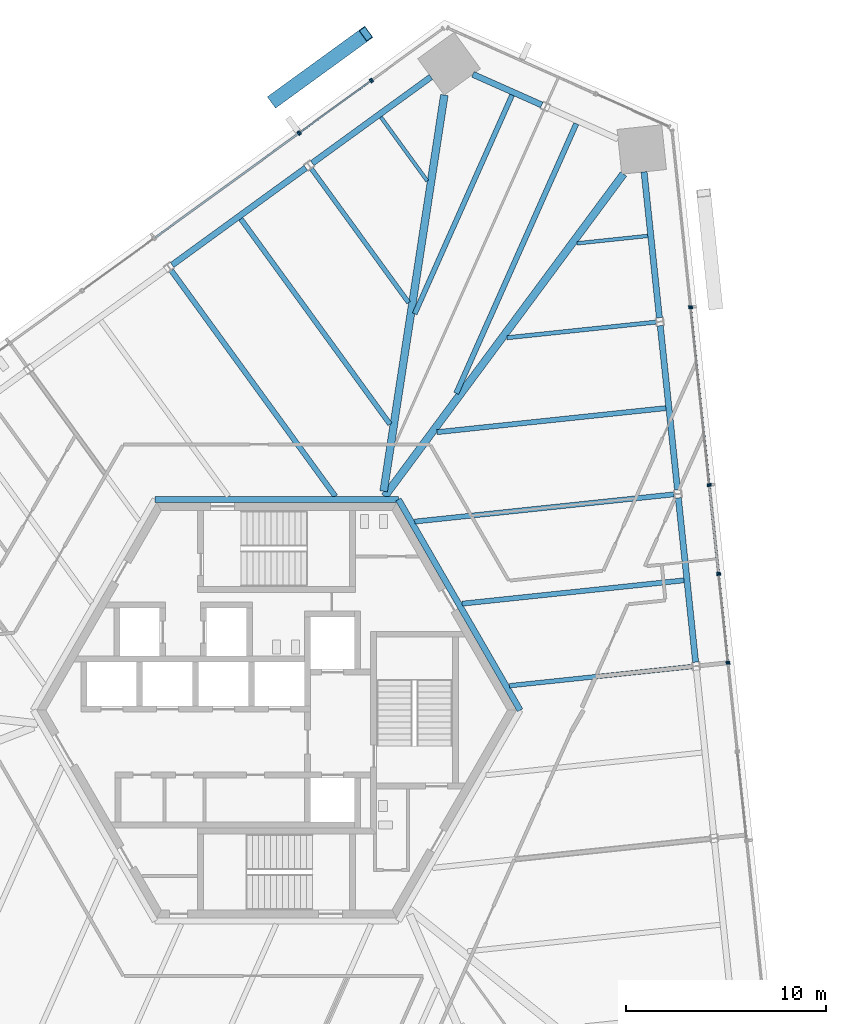
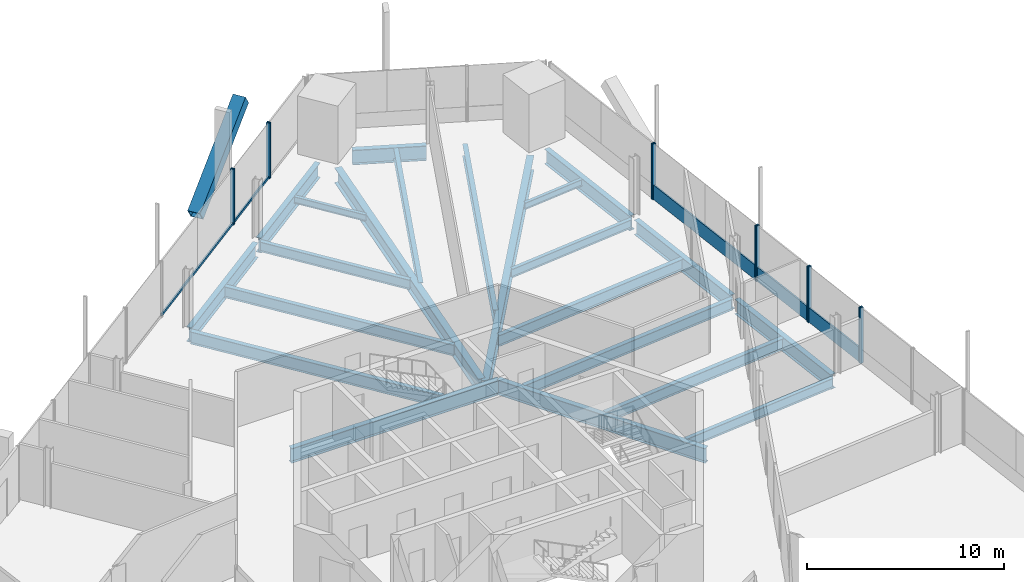
# One storey, part 7 of 21: 22 beams, 18 members, 8 elements without a shape of their own.
"""IFC4 building model written with IfcOpenShell, lengths in metres."""

from ifc_helpers import new_model, si_unit, direction, frame, origin, origin_2d, place, context, subcontext, project, spatial, rectangle, hollow_rectangle, i_section, extrude, source, transform, mapped, material, material_profile, profile_set, type_object, element, aggregate, save


model = new_model("IFC4")

# Units and contexts
model_context = context("Model", 3, precision=1e-05, world=origin(), true_north=direction((0.0, 1.0)))
body_context = subcontext(model_context, "Body", "Model", "MODEL_VIEW")
ifc_project = project(units=[si_unit("LENGTHUNIT", "METRE"), si_unit("AREAUNIT", "SQUARE_METRE"), si_unit("VOLUMEUNIT", "CUBIC_METRE"), si_unit("PLANEANGLEUNIT", "RADIAN"), si_unit("MASSUNIT", "GRAM", prefix="KILO")], contexts=[model_context])

# Site, building, storey
site_placement = place(None, origin())
site = spatial("IfcSite", under=ifc_project, at=site_placement, CompositionType="ELEMENT")
building_placement = place(site_placement, origin())
building = spatial("IfcBuilding", under=site, at=building_placement, Name="Triune Harvest Tower", CompositionType="ELEMENT")
storey_placement = place(building_placement, frame((0.0, 0.0, 87.300048828125)))
storey = spatial("IfcBuildingStorey", under=building, at=storey_placement, Name="L21", CompositionType="ELEMENT", Elevation=87.300048828125)

# Curtain wall, member
ifc_material_1 = material(Name="Aluminium bronze anodised", Category="aluminium")
curtain_wall_type_1 = type_object("IfcCurtainWallType", Name="CW-1 Tower stick curtain wall", PredefinedType="NOTDEFINED", material=ifc_material_1)
curtain_wall_1_placement = place(storey_placement, origin())
curtain_wall_1 = element("IfcCurtainWall", 1, at=curtain_wall_1_placement, inside=storey, type_object=curtain_wall_type_1, Name="CW-1 B2-F1 L21 run 5001")
ifc_material_2 = material(Name="Aluminium bronze anodised", Category="aluminium")
ifc_material_profile_1 = material_profile(ifc_material_2, rectangle(XDim=0.090087890625, YDim=0.89990234375, at=origin_2d()), Name="TR-1 transom 90 x 900")
ifc_profile_set_1 = profile_set([ifc_material_profile_1], Name="Aluminium bronze anodised")
member_type_1 = type_object("IfcMemberType", Name="TR-1 transom 90 x 900", PredefinedType="USERDEFINED", material=ifc_profile_set_1)
member_1_placement = place(storey_placement, frame((22.565673828125, 2.447265625, 0.449951171875), z_axis=(-0.104543585758, 0.994520305814, 0.0), x_axis=(-0.994520305814, -0.104543585758, 0.0)))
member_1 = element("IfcMember", 2, at=member_1_placement, type_object=member_type_1, Name="CW-1 transom B2-F1 5001.1", ObjectType="TRANSOM", PredefinedType="USERDEFINED", context=body_context, shape_type="SweptSolid", body=[
    extrude(rectangle(XDim=0.090087890625, YDim=0.89990234375, at=origin_2d()), origin(), (0.0, 0.0, 1.0), 4.3203125),
])

# Beams
ifc_material_3 = material(Name="Steel ASTM A992 Gr 50", Category="steel")
ifc_material_profile_2 = material_profile(ifc_material_3, i_section(OverallWidth=0.3046875, OverallDepth=0.914306640625, WebThickness=0.0166015625, FlangeThickness=0.02587890625, at=origin_2d()), Name="W36x160")
ifc_profile_set_2 = profile_set([ifc_material_profile_2], Name="Steel ASTM A992 Gr 50")
beam_type_1 = type_object("IfcBeamType", Name="CG-1 Core ring girder W36x160", PredefinedType="BEAM", material=ifc_profile_set_2)
shared_shape_1 = source(origin(), body_context, "Body", "SweptSolid", [
    extrude(i_section(OverallWidth=0.3046875, OverallDepth=0.914306640625, WebThickness=0.0166015625, FlangeThickness=0.02587890625, at=origin_2d()), origin(), (0.0, 0.0, 1.0), 12.176025390625),
])
beam_1_placement = place(storey_placement, frame((12.176025390625, 0.0, -0.6171875), z_axis=(-0.5000099932, 0.866019634131, 0.0), x_axis=(-0.866019634131, -0.5000099932, 0.0)))
element("IfcBeam", 3, at=beam_1_placement, inside=storey, type_object=beam_type_1, Name="beam/L21/CG1", PredefinedType="BEAM", context=body_context, shape_type="MappedRepresentation", body=[
    mapped(shared_shape_1, transform((0.0, 0.0, 0.0), scale=1.0)),
])
shared_shape_2 = source(origin(), body_context, "Body", "SweptSolid", [
    extrude(i_section(OverallWidth=0.3046875, OverallDepth=0.914306640625, WebThickness=0.0166015625, FlangeThickness=0.02587890625, at=origin_2d()), origin(), (0.0, 0.0, 1.0), 12.17578125),
])
beam_2_placement = place(storey_placement, frame((6.087890625, 10.544677734375, -0.6171875), z_axis=(-1.0, 0.0, 0.0), x_axis=(0.0, -1.0, 0.0)))
element("IfcBeam", 4, at=beam_2_placement, inside=storey, type_object=beam_type_1, Name="beam/L21/CG2", PredefinedType="BEAM", context=body_context, shape_type="MappedRepresentation", body=[
    mapped(shared_shape_2, transform((0.0, 0.0, 0.0), scale=1.0)),
])
ifc_material_4 = material(Name="Steel ASTM A992 Gr 50", Category="steel")
ifc_material_profile_3 = material_profile(ifc_material_4, i_section(OverallWidth=0.3046875, OverallDepth=0.914306640625, WebThickness=0.0166015625, FlangeThickness=0.02587890625, at=origin_2d()), Name="W36x160")
ifc_profile_set_3 = profile_set([ifc_material_profile_3], Name="Steel ASTM A992 Gr 50")
beam_type_2 = type_object("IfcBeamType", Name="SB-1 Spandrel beam W36x160", PredefinedType="SPANDREL", material=ifc_profile_set_3)
shared_shape_3 = source(origin(), body_context, "Body", "SweptSolid", [
    extrude(i_section(OverallWidth=0.3046875, OverallDepth=0.914306640625, WebThickness=0.0166015625, FlangeThickness=0.02587890625, at=origin_2d()), origin(), (0.0, 0.0, 1.0), 7.337890625),
])
beam_3_placement = place(storey_placement, frame((7.7158203125, 31.677490234375, -0.6171875), z_axis=(-0.80902661548, -0.58777200975, 0.0), x_axis=(0.58777200975, -0.80902661548, 0.0)))
element("IfcBeam", 5, at=beam_3_placement, inside=storey, type_object=beam_type_2, Name="beam/L21/SB9", PredefinedType="SPANDREL", context=body_context, shape_type="MappedRepresentation", body=[
    mapped(shared_shape_3, transform((0.0, 0.0, 0.0), scale=1.0)),
])
shared_shape_4 = source(origin(), body_context, "Body", "SweptSolid", [
    extrude(i_section(OverallWidth=0.3046875, OverallDepth=0.914306640625, WebThickness=0.0166015625, FlangeThickness=0.02587890625, at=origin_2d()), origin(), (0.0, 0.0, 1.0), 8.263427734375),
])
for number, where, z_axis, x_axis, name in (
    (6, (20.956298828125, 2.403076171875, -0.6171875), (-0.104560208485, 0.994518558299, 0.0), (-0.994518558299, -0.104560208485, 0.0), "beam/L21/SB4"),
    (7, (20.05078125, 11.017822265625, -0.6171875), (-0.104527914852, 0.994521953009, 0.0), (-0.994521953009, -0.104527914852, 0.0), "beam/L21/SB5"),
    (8, (1.45654296875, 27.130126953125, -0.6171875), (-0.809015786763, -0.587786914424, 0.0), (0.587786914424, -0.809015786763, 0.0), "beam/L21/SB10"),
):
    element("IfcBeam", number, at=place(storey_placement, frame(where, z_axis=z_axis, x_axis=x_axis)), inside=storey, type_object=beam_type_2, Name=name, PredefinedType="SPANDREL", context=body_context, shape_type="MappedRepresentation", body=[
        mapped(shared_shape_4, transform((0.0, 0.0, 0.0), scale=1.0)),
    ])
shared_shape_5 = source(origin(), body_context, "Body", "SweptSolid", [
    extrude(i_section(OverallWidth=0.3046875, OverallDepth=0.914306640625, WebThickness=0.0166015625, FlangeThickness=0.02587890625, at=origin_2d()), origin(), (0.0, 0.0, 1.0), 7.338134765625),
])
beam_4_placement = place(storey_placement, frame((19.145263671875, 19.632568359375, -0.6171875), z_axis=(-0.104502933908, 0.994524578281, 0.0), x_axis=(-0.994524578281, -0.104502933908, 0.0)))
element("IfcBeam", 9, at=beam_4_placement, inside=storey, type_object=beam_type_2, Name="beam/L21/SB6", PredefinedType="SPANDREL", context=body_context, shape_type="MappedRepresentation", body=[
    mapped(shared_shape_5, transform((0.0, 0.0, 0.0), scale=1.0)),
])
shared_shape_6 = source(origin(), body_context, "Body", "SweptSolid", [
    extrude(i_section(OverallWidth=0.3046875, OverallDepth=0.914306640625, WebThickness=0.0166015625, FlangeThickness=0.02587890625, at=origin_2d()), origin(), (0.0, 0.0, 1.0), 3.774658203125),
])
beam_5_placement = place(storey_placement, frame((13.260986328125, 30.275146484375, -0.6171875), z_axis=(-0.913566008399, 0.406690482182, 0.0), x_axis=(-0.406690482182, -0.913566008399, 0.0)))
element("IfcBeam", 10, at=beam_5_placement, inside=storey, type_object=beam_type_2, Name="beam/L21/SB8", PredefinedType="SPANDREL", context=body_context, shape_type="MappedRepresentation", body=[
    mapped(shared_shape_6, transform((0.0, 0.0, 0.0), scale=1.0)),
])
ifc_material_5 = material(Name="Steel ASTM A992 Gr 50", Category="steel")
ifc_material_profile_4 = material_profile(ifc_material_5, i_section(OverallWidth=0.383544921875, OverallDepth=0.9423828125, WebThickness=0.022216796875, FlangeThickness=0.039794921875, at=origin_2d()), Name="W36x232")
ifc_profile_set_4 = profile_set([ifc_material_profile_4], Name="Steel ASTM A992 Gr 50")
beam_type_3 = type_object("IfcBeamType", Name="HG-1 Hip girder W36x232", PredefinedType="BEAM", material=ifc_profile_set_4)
shared_shape_7 = source(origin(), body_context, "Body", "SweptSolid", [
    extrude(i_section(OverallWidth=0.383544921875, OverallDepth=0.9423828125, WebThickness=0.022216796875, FlangeThickness=0.039794921875, at=origin_2d()), origin(), (0.0, 0.0, 1.0), 20.071044921875),
])
beam_6_placement = place(storey_placement, frame((17.3515625, 26.822265625, -0.63134765625), z_axis=(-0.595422435489, -0.803412797581, 0.0), x_axis=(0.803412797581, -0.595422435489, 0.0)))
element("IfcBeam", 11, at=beam_6_placement, inside=storey, type_object=beam_type_3, Name="beam/L21/HG3", PredefinedType="BEAM", context=body_context, shape_type="MappedRepresentation", body=[
    mapped(shared_shape_7, transform((0.0, 0.0, 0.0), scale=1.0)),
])
shared_shape_8 = source(origin(), body_context, "Body", "SweptSolid", [
    extrude(i_section(OverallWidth=0.383544921875, OverallDepth=0.9423828125, WebThickness=0.022216796875, FlangeThickness=0.039794921875, at=origin_2d()), origin(), (0.0, 0.0, 1.0), 20.0546875),
])
beam_7_placement = place(storey_placement, frame((8.38623046875, 30.774169921875, -0.63134765625), z_axis=(-0.151393010927, -0.988473649746, 0.0), x_axis=(0.988473649746, -0.151393010927, 0.0)))
element("IfcBeam", 12, at=beam_7_placement, inside=storey, type_object=beam_type_3, Name="beam/L21/HG4", PredefinedType="BEAM", context=body_context, shape_type="MappedRepresentation", body=[
    mapped(shared_shape_8, transform((0.0, 0.0, 0.0), scale=1.0)),
])
ifc_material_6 = material(Name="Steel ASTM A992 Gr 50", Category="steel")
ifc_material_profile_5 = material_profile(ifc_material_6, i_section(OverallWidth=0.180908203125, OverallDepth=0.41650390625, WebThickness=0.010986328125, FlangeThickness=0.01806640625, at=origin_2d()), Name="W16x57")
ifc_profile_set_5 = profile_set([ifc_material_profile_5], Name="Steel ASTM A992 Gr 50")
beam_type_4 = type_object("IfcBeamType", Name="JT-1 Floor joist W16x57", PredefinedType="JOIST", material=ifc_profile_set_5)
shared_shape_9 = source(origin(), body_context, "Body", "SweptSolid", [
    extrude(i_section(OverallWidth=0.180908203125, OverallDepth=0.41650390625, WebThickness=0.010986328125, FlangeThickness=0.01806640625, at=origin_2d()), origin(), (0.0, 0.0, 1.0), 3.95068359375),
])
beam_8_placement = place(storey_placement, frame((5.21142578125, 29.669677734375, -0.368408203125), z_axis=(0.587818894271, -0.808992550978, 0.0), x_axis=(0.808992550978, 0.587818894271, 0.0)))
element("IfcBeam", 13, at=beam_8_placement, inside=storey, type_object=beam_type_4, Name="beam/L21/JT14", PredefinedType="JOIST", context=body_context, shape_type="MappedRepresentation", body=[
    mapped(shared_shape_9, transform((0.0, 0.0, 0.0), scale=1.0)),
])
ifc_material_7 = material(Name="Steel ASTM A992 Gr 50", Category="steel")
ifc_material_profile_6 = material_profile(ifc_material_7, i_section(OverallWidth=0.22900390625, OverallDepth=0.612060546875, WebThickness=0.011962890625, FlangeThickness=0.01953125, at=origin_2d()), Name="W24x84")
ifc_profile_set_6 = profile_set([ifc_material_profile_6], Name="Steel ASTM A992 Gr 50")
beam_type_5 = type_object("IfcBeamType", Name="JT-3 Floor joist W24x84", PredefinedType="JOIST", material=ifc_profile_set_6)
shared_shape_10 = source(origin(), body_context, "Body", "SweptSolid", [
    extrude(i_section(OverallWidth=0.22900390625, OverallDepth=0.612060546875, WebThickness=0.011962890625, FlangeThickness=0.01953125, at=origin_2d()), origin(), (0.0, 0.0, 1.0), 8.28173828125),
])
beam_9_placement = place(storey_placement, frame((1.733642578125, 27.087890625, -0.466064453125), z_axis=(0.587794772324, -0.809010077581, 0.0), x_axis=(0.809010077581, 0.587794772324, 0.0)))
element("IfcBeam", 14, at=beam_9_placement, inside=storey, type_object=beam_type_5, Name="beam/L21/JT15", PredefinedType="JOIST", context=body_context, shape_type="MappedRepresentation", body=[
    mapped(shared_shape_10, transform((0.0, 0.0, 0.0), scale=1.0)),
])
shared_shape_11 = source(origin(), body_context, "Body", "SweptSolid", [
    extrude(i_section(OverallWidth=0.22900390625, OverallDepth=0.612060546875, WebThickness=0.011962890625, FlangeThickness=0.01953125, at=origin_2d()), origin(), (0.0, 0.0, 1.0), 9.186279296875),
])
beam_10_placement = place(storey_placement, frame((20.78125, 2.18408203125, -0.466064453125), z_axis=(-0.99452494946, -0.10449940144, 0.0), x_axis=(0.10449940144, -0.99452494946, 0.0)))
element("IfcBeam", 15, at=beam_10_placement, inside=storey, type_object=beam_type_5, Name="beam/L21/JT6", PredefinedType="JOIST", context=body_context, shape_type="MappedRepresentation", body=[
    mapped(shared_shape_11, transform((0.0, 0.0, 0.0), scale=1.0)),
])
ifc_material_8 = material(Name="Steel ASTM A992 Gr 50", Category="steel")
ifc_material_profile_7 = material_profile(ifc_material_8, i_section(OverallWidth=0.253662109375, OverallDepth=0.683349609375, WebThickness=0.012451171875, FlangeThickness=0.01904296875, at=origin_2d()), Name="W27x94")
ifc_profile_set_7 = profile_set([ifc_material_profile_7], Name="Steel ASTM A992 Gr 50")
beam_type_6 = type_object("IfcBeamType", Name="JT-4 Floor joist W27x94", PredefinedType="JOIST", material=ifc_profile_set_7)
shared_shape_12 = source(origin(), body_context, "Body", "SweptSolid", [
    extrude(i_section(OverallWidth=0.253662109375, OverallDepth=0.683349609375, WebThickness=0.012451171875, FlangeThickness=0.01904296875, at=origin_2d()), origin(), (0.0, 0.0, 1.0), 11.158935546875),
])
beam_11_placement = place(storey_placement, frame((20.372802734375, 6.49609375, -0.501708984375), z_axis=(-0.994523540129, -0.104512813234, 0.0), x_axis=(0.104512813234, -0.994523540129, 0.0)))
element("IfcBeam", 16, at=beam_11_placement, inside=storey, type_object=beam_type_6, Name="beam/L21/JT7", PredefinedType="JOIST", context=body_context, shape_type="MappedRepresentation", body=[
    mapped(shared_shape_12, transform((0.0, 0.0, 0.0), scale=1.0)),
])
shared_shape_13 = source(origin(), body_context, "Body", "SweptSolid", [
    extrude(i_section(OverallWidth=0.253662109375, OverallDepth=0.683349609375, WebThickness=0.012451171875, FlangeThickness=0.01904296875, at=origin_2d()), origin(), (0.0, 0.0, 1.0), 13.04296875),
])
beam_12_placement = place(storey_placement, frame((19.875732421875, 10.799072265625, -0.501708984375), z_axis=(-0.99452051979, -0.104541550188, 0.0), x_axis=(0.104541550188, -0.99452051979, 0.0)))
element("IfcBeam", 17, at=beam_12_placement, inside=storey, type_object=beam_type_6, Name="beam/L21/JT8", PredefinedType="JOIST", context=body_context, shape_type="MappedRepresentation", body=[
    mapped(shared_shape_13, transform((0.0, 0.0, 0.0), scale=1.0)),
])
shared_shape_14 = source(origin(), body_context, "Body", "SweptSolid", [
    extrude(i_section(OverallWidth=0.253662109375, OverallDepth=0.683349609375, WebThickness=0.012451171875, FlangeThickness=0.01904296875, at=origin_2d()), origin(), (0.0, 0.0, 1.0), 11.51123046875),
])
beam_13_placement = place(storey_placement, frame((19.46728515625, 15.111083984375, -0.501708984375), z_axis=(-0.994520898324, -0.104537949071, 0.0), x_axis=(0.104537949071, -0.994520898324, 0.0)))
element("IfcBeam", 18, at=beam_13_placement, inside=storey, type_object=beam_type_6, Name="beam/L21/JT9", PredefinedType="JOIST", context=body_context, shape_type="MappedRepresentation", body=[
    mapped(shared_shape_14, transform((0.0, 0.0, 0.0), scale=1.0)),
])
ifc_material_9 = material(Name="Steel ASTM A992 Gr 50", Category="steel")
ifc_material_profile_8 = material_profile(ifc_material_9, i_section(OverallWidth=0.2099609375, OverallDepth=0.535888671875, WebThickness=0.010986328125, FlangeThickness=0.017333984375, at=origin_2d()), Name="W21x68")
ifc_profile_set_8 = profile_set([ifc_material_profile_8], Name="Steel ASTM A992 Gr 50")
beam_type_7 = type_object("IfcBeamType", Name="JT-2 Floor joist W21x68", PredefinedType="JOIST", material=ifc_profile_set_8)
shared_shape_15 = source(origin(), body_context, "Body", "SweptSolid", [
    extrude(i_section(OverallWidth=0.2099609375, OverallDepth=0.535888671875, WebThickness=0.010986328125, FlangeThickness=0.017333984375, at=origin_2d()), origin(), (0.0, 0.0, 1.0), 7.491943359375),
])
beam_14_placement = place(storey_placement, frame((18.97021484375, 19.413818359375, -0.427978515625), z_axis=(-0.994520798259, -0.104538901039, 0.0), x_axis=(0.104538901039, -0.994520798259, 0.0)))
element("IfcBeam", 19, at=beam_14_placement, inside=storey, type_object=beam_type_7, Name="beam/L21/JT10", PredefinedType="JOIST", context=body_context, shape_type="MappedRepresentation", body=[
    mapped(shared_shape_15, transform((0.0, 0.0, 0.0), scale=1.0)),
])
shared_shape_16 = source(origin(), body_context, "Body", "SweptSolid", [
    extrude(i_section(OverallWidth=0.180908203125, OverallDepth=0.41650390625, WebThickness=0.010986328125, FlangeThickness=0.01806640625, at=origin_2d()), origin(), (0.0, 0.0, 1.0), 3.562255859375),
])
beam_15_placement = place(storey_placement, frame((18.56201171875, 23.725830078125, -0.368408203125), z_axis=(-0.994523089103, -0.104517105016, 0.0), x_axis=(0.104517105016, -0.994523089103, 0.0)))
element("IfcBeam", 20, at=beam_15_placement, inside=storey, type_object=beam_type_4, Name="beam/L21/JT11", PredefinedType="JOIST", context=body_context, shape_type="MappedRepresentation", body=[
    mapped(shared_shape_16, transform((0.0, 0.0, 0.0), scale=1.0)),
])
ifc_material_10 = material(Name="Steel ASTM A992 Gr 50", Category="steel")
ifc_material_profile_9 = material_profile(ifc_material_10, i_section(OverallWidth=0.2666015625, OverallDepth=0.7568359375, WebThickness=0.013916015625, FlangeThickness=0.019287109375, at=origin_2d()), Name="W30x108")
ifc_profile_set_9 = profile_set([ifc_material_profile_9], Name="Steel ASTM A992 Gr 50")
beam_type_8 = type_object("IfcBeamType", Name="JT-5 Floor joist W30x108", PredefinedType="JOIST", material=ifc_profile_set_9)
shared_shape_17 = source(origin(), body_context, "Body", "SweptSolid", [
    extrude(i_section(OverallWidth=0.2666015625, OverallDepth=0.7568359375, WebThickness=0.013916015625, FlangeThickness=0.019287109375, at=origin_2d()), origin(), (0.0, 0.0, 1.0), 14.766357421875),
])
beam_16_placement = place(storey_placement, frame((14.987060546875, 29.33984375, -0.53857421875), z_axis=(-0.406727456384, -0.913549547766, 0.0), x_axis=(0.913549547766, -0.406727456384, 0.0)))
element("IfcBeam", 21, at=beam_16_placement, inside=storey, type_object=beam_type_8, Name="beam/L21/JT12", PredefinedType="JOIST", context=body_context, shape_type="MappedRepresentation", body=[
    mapped(shared_shape_17, transform((0.0, 0.0, 0.0), scale=1.0)),
])
shared_shape_18 = source(origin(), body_context, "Body", "SweptSolid", [
    extrude(i_section(OverallWidth=0.253662109375, OverallDepth=0.683349609375, WebThickness=0.012451171875, FlangeThickness=0.01904296875, at=origin_2d()), origin(), (0.0, 0.0, 1.0), 11.977783203125),
])
beam_17_placement = place(storey_placement, frame((11.775390625, 30.769775390625, -0.501708984375), z_axis=(-0.406717086171, -0.913554164687, 0.0), x_axis=(0.913554164687, -0.406717086171, 0.0)))
element("IfcBeam", 22, at=beam_17_placement, inside=storey, type_object=beam_type_6, Name="beam/L21/JT13", PredefinedType="JOIST", context=body_context, shape_type="MappedRepresentation", body=[
    mapped(shared_shape_18, transform((0.0, 0.0, 0.0), scale=1.0)),
])
shared_shape_19 = source(origin(), body_context, "Body", "SweptSolid", [
    extrude(i_section(OverallWidth=0.253662109375, OverallDepth=0.683349609375, WebThickness=0.012451171875, FlangeThickness=0.01904296875, at=origin_2d()), origin(), (0.0, 0.0, 1.0), 12.701904296875),
])
beam_18_placement = place(storey_placement, frame((-1.79638671875, 24.578369140625, -0.501708984375), z_axis=(0.587773910587, -0.809025234485, 0.0), x_axis=(0.809025234485, 0.587773910587, 0.0)))
element("IfcBeam", 23, at=beam_18_placement, inside=storey, type_object=beam_type_6, Name="beam/L21/JT16", PredefinedType="JOIST", context=body_context, shape_type="MappedRepresentation", body=[
    mapped(shared_shape_19, transform((0.0, 0.0, 0.0), scale=1.0)),
])
shared_shape_20 = source(origin(), body_context, "Body", "SweptSolid", [
    extrude(i_section(OverallWidth=0.2666015625, OverallDepth=0.7568359375, WebThickness=0.013916015625, FlangeThickness=0.019287109375, at=origin_2d()), origin(), (0.0, 0.0, 1.0), 13.967041015625),
])
beam_19_placement = place(storey_placement, frame((-5.2744140625, 21.99658203125, -0.53857421875), z_axis=(0.587790196646, -0.809013402069, 0.0), x_axis=(0.809013402069, 0.587790196646, 0.0)))
element("IfcBeam", 24, at=beam_19_placement, inside=storey, type_object=beam_type_8, Name="beam/L21/JT17", PredefinedType="JOIST", context=body_context, shape_type="MappedRepresentation", body=[
    mapped(shared_shape_20, transform((0.0, 0.0, 0.0), scale=1.0)),
])

# Member
ifc_material_11 = material(Name="Steel ASTM A572 Gr 50", Category="steel")
ifc_material_profile_10 = material_profile(ifc_material_11, hollow_rectangle(XDim=0.699951171875, YDim=0.699951171875, WallThickness=0.0400390625, at=origin_2d()), Name="Box 700x700x40")
ifc_profile_set_10 = profile_set([ifc_material_profile_10], Name="Steel ASTM A572 Gr 50")
member_type_2 = type_object("IfcMemberType", Name="BR-1 Brace Box 700x700x40", PredefinedType="BRACE", material=ifc_profile_set_10)
shared_shape_21 = source(origin(), body_context, "Body", "SweptSolid", [
    extrude(hollow_rectangle(XDim=0.699951171875, YDim=0.699951171875, WallThickness=0.0400390625, at=origin_2d()), origin(), (0.0, 0.0, 1.0), 6.7021484375),
])
member_2_placement = place(storey_placement, frame((-0.111572265625, 30.5087890625, 0.0), z_axis=(0.682416282299, 0.495802712628, 0.537110498692), x_axis=(-0.587783903514, 0.809017974318, 0.0)))
element("IfcMember", 25, at=member_2_placement, inside=storey, type_object=member_type_2, Name="brace/B2-F3/d2/9", PredefinedType="BRACE", context=body_context, shape_type="MappedRepresentation", body=[
    mapped(shared_shape_21, transform((0.0, 0.0, 0.0), scale=1.0)),
])

# Curtain wall, member
ifc_material_12 = material(Name="Aluminium bronze anodised", Category="aluminium")
curtain_wall_type_2 = type_object("IfcCurtainWallType", Name="CW-7 Tower stick curtain wall with insulated spandrel infill", PredefinedType="NOTDEFINED", material=ifc_material_12)
curtain_wall_2_placement = place(storey_placement, origin())
curtain_wall_2 = element("IfcCurtainWall", 26, at=curtain_wall_2_placement, inside=storey, type_object=curtain_wall_type_2, Name="CW-7 B2-F1 L21 run 4001")
ifc_material_13 = material(Name="Aluminium bronze anodised", Category="aluminium")
ifc_material_profile_11 = material_profile(ifc_material_13, rectangle(XDim=0.199951171875, YDim=0.074951171875, at=origin_2d()), Name="MU-1 mullion 75 x 200")
ifc_profile_set_11 = profile_set([ifc_material_profile_11], Name="Aluminium bronze anodised")
member_type_3 = type_object("IfcMemberType", Name="MU-1 mullion 75 x 200", PredefinedType="MULLION", material=ifc_profile_set_11)
shared_shape_22 = source(origin(), body_context, "Body", "SweptSolid", [
    extrude(rectangle(XDim=0.199951171875, YDim=0.074951171875, at=origin_2d()), origin(), (0.0, 0.0, 1.0), 3.43994140625),
])
member_3_placement = place(storey_placement, frame((22.577392578125, 2.335205078125, 0.0), z_axis=(0.0, 0.0, 1.0), x_axis=(-0.994521986995, -0.104527591495, 0.0)))
member_3 = element("IfcMember", 27, at=member_3_placement, type_object=member_type_3, Name="CW-7 mullion B2-F1 4001.2", PredefinedType="MULLION", context=body_context, shape_type="MappedRepresentation", body=[
    mapped(shared_shape_22, transform((0.0, 0.0, 0.0), scale=1.0)),
])
aggregate(curtain_wall_2, [member_3])

# Member
member_4_placement = place(storey_placement, frame((22.569580078125, 2.409912109375, 0.0), z_axis=(0.0, 0.0, 1.0), x_axis=(-0.994521742589, -0.104529916852, 0.0)))
member_4 = element("IfcMember", 28, at=member_4_placement, type_object=member_type_3, Name="CW-1 mullion B2-F1 5001.1", PredefinedType="MULLION", context=body_context, shape_type="MappedRepresentation", body=[
    mapped(shared_shape_22, transform((0.0, 0.0, 0.0), scale=1.0)),
])

member_5_placement = place(storey_placement, frame((22.110107421875, 6.78125, 0.0), z_axis=(0.0, 0.0, 1.0), x_axis=(-0.994521742589, -0.104529916852, 0.0)))
member_5 = element("IfcMember", 29, at=member_5_placement, type_object=member_type_3, Name="CW-1 mullion B2-F1 5001.2", PredefinedType="MULLION", context=body_context, shape_type="MappedRepresentation", body=[
    mapped(shared_shape_22, transform((0.0, 0.0, 0.0), scale=1.0)),
])

aggregate(curtain_wall_1, [member_4, member_5, member_1])

# Curtain wall, members
curtain_wall_3_placement = place(storey_placement, origin())
curtain_wall_3 = element("IfcCurtainWall", 30, at=curtain_wall_3_placement, inside=storey, type_object=curtain_wall_type_2, Name="CW-7 B2-F1 L21 run 6001")
member_6_placement = place(storey_placement, frame((22.102294921875, 6.85595703125, 0.0), z_axis=(0.0, 0.0, 1.0), x_axis=(-0.994521986995, -0.104527591495, 0.0)))
member_6 = element("IfcMember", 31, at=member_6_placement, type_object=member_type_3, Name="CW-7 mullion B2-F1 6001.1", PredefinedType="MULLION", context=body_context, shape_type="MappedRepresentation", body=[
    mapped(shared_shape_22, transform((0.0, 0.0, 0.0), scale=1.0)),
])
member_7_placement = place(storey_placement, frame((21.642822265625, 11.227294921875, 0.0), z_axis=(0.0, 0.0, 1.0), x_axis=(-0.994521986995, -0.104527591495, 0.0)))
member_7 = element("IfcMember", 32, at=member_7_placement, type_object=member_type_3, Name="CW-7 mullion B2-F1 6001.2", PredefinedType="MULLION", context=body_context, shape_type="MappedRepresentation", body=[
    mapped(shared_shape_22, transform((0.0, 0.0, 0.0), scale=1.0)),
])

curtain_wall_4_placement = place(storey_placement, origin())
curtain_wall_4 = element("IfcCurtainWall", 33, at=curtain_wall_4_placement, inside=storey, type_object=curtain_wall_type_1, Name="CW-1 B2-F1 L21 run 7001")
member_8_placement = place(storey_placement, frame((21.634765625, 11.302001953125, 0.0), z_axis=(0.0, 0.0, 1.0), x_axis=(-0.994521986995, -0.104527591495, 0.0)))
member_8 = element("IfcMember", 34, at=member_8_placement, type_object=member_type_3, Name="CW-1 mullion B2-F1 7001.1", PredefinedType="MULLION", context=body_context, shape_type="MappedRepresentation", body=[
    mapped(shared_shape_22, transform((0.0, 0.0, 0.0), scale=1.0)),
])
member_9_placement = place(storey_placement, frame((20.7080078125, 20.11962890625, 0.0), z_axis=(0.0, 0.0, 1.0), x_axis=(-0.994521986995, -0.104527591495, 0.0)))
member_9 = element("IfcMember", 35, at=member_9_placement, type_object=member_type_3, Name="CW-1 mullion B2-F1 7001.3", PredefinedType="MULLION", context=body_context, shape_type="MappedRepresentation", body=[
    mapped(shared_shape_22, transform((0.0, 0.0, 0.0), scale=1.0)),
])

# Curtain wall, member
curtain_wall_5_placement = place(storey_placement, origin())
curtain_wall_5 = element("IfcCurtainWall", 36, at=curtain_wall_5_placement, inside=storey, type_object=curtain_wall_type_2, Name="CW-7 B2-F1 L21 run 8001")
member_10_placement = place(storey_placement, frame((20.7001953125, 20.194091796875, 0.0), z_axis=(0.0, 0.0, 1.0), x_axis=(-0.994522065412, -0.104526845393, 0.0)))
member_10 = element("IfcMember", 37, at=member_10_placement, type_object=member_type_3, Name="CW-7 mullion B2-F1 8001.1", PredefinedType="MULLION", context=body_context, shape_type="MappedRepresentation", body=[
    mapped(shared_shape_22, transform((0.0, 0.0, 0.0), scale=1.0)),
])
aggregate(curtain_wall_5, [member_10])

ifc_material_14 = material(Name="Aluminium bronze anodised", Category="aluminium")
curtain_wall_type_3 = type_object("IfcCurtainWallType", Name="CW-10 Balcony window wall with insulated spandrel infill", PredefinedType="NOTDEFINED", material=ifc_material_14)
curtain_wall_6_placement = place(storey_placement, origin())
curtain_wall_6 = element("IfcCurtainWall", 38, at=curtain_wall_6_placement, inside=storey, type_object=curtain_wall_type_3, Name="CW-10 B2-F3 L21 run 1")
ifc_material_15 = material(Name="Aluminium bronze anodised", Category="aluminium")
ifc_material_profile_12 = material_profile(ifc_material_15, rectangle(XDim=0.199951171875, YDim=0.074951171875, at=origin_2d()), Name="MU-6 mullion 75 x 200")
ifc_profile_set_12 = profile_set([ifc_material_profile_12], Name="Aluminium bronze anodised")
member_type_4 = type_object("IfcMemberType", Name="MU-6 mullion 75 x 200", PredefinedType="MULLION", material=ifc_profile_set_12)
shared_shape_23 = source(origin(), body_context, "Body", "SweptSolid", [
    extrude(rectangle(XDim=0.199951171875, YDim=0.074951171875, at=origin_2d()), origin(), (0.0, 0.0, 1.0), 3.43994140625),
])
member_11_placement = place(storey_placement, frame((4.769775390625, 31.521484375, 0.0), z_axis=(0.0, 0.0, 1.0), x_axis=(0.587780727004, -0.80902028217, 0.0)))
member_11 = element("IfcMember", 39, at=member_11_placement, type_object=member_type_4, Name="CW-10 mullion B2-F3 1.2", PredefinedType="MULLION", context=body_context, shape_type="MappedRepresentation", body=[
    mapped(shared_shape_23, transform((0.0, 0.0, 0.0), scale=1.0)),
])
aggregate(curtain_wall_6, [member_11])

# Curtain wall, members
ifc_material_16 = material(Name="Aluminium bronze anodised", Category="aluminium")
curtain_wall_type_4 = type_object("IfcCurtainWallType", Name="CW-6 Balcony window wall", PredefinedType="NOTDEFINED", material=ifc_material_16)
curtain_wall_7_placement = place(storey_placement, origin())
curtain_wall_7 = element("IfcCurtainWall", 40, at=curtain_wall_7_placement, inside=storey, type_object=curtain_wall_type_4, Name="CW-6 B2-F3 L21 run 1001")
member_12_placement = place(storey_placement, frame((4.708984375, 31.477294921875, 0.0), z_axis=(0.0, 0.0, 1.0), x_axis=(0.58779422757, -0.809010473378, 0.0)))
member_12 = element("IfcMember", 41, at=member_12_placement, type_object=member_type_4, Name="CW-6 mullion B2-F3 1001.1", PredefinedType="MULLION", context=body_context, shape_type="MappedRepresentation", body=[
    mapped(shared_shape_23, transform((0.0, 0.0, 0.0), scale=1.0)),
])
member_13_placement = place(storey_placement, frame((1.14990234375, 28.891357421875, 0.0), z_axis=(0.0, 0.0, 1.0), x_axis=(0.58779422757, -0.809010473378, 0.0)))
member_13 = element("IfcMember", 42, at=member_13_placement, type_object=member_type_4, Name="CW-6 mullion B2-F3 1001.2", PredefinedType="MULLION", context=body_context, shape_type="MappedRepresentation", body=[
    mapped(shared_shape_23, transform((0.0, 0.0, 0.0), scale=1.0)),
])

curtain_wall_8_placement = place(storey_placement, origin())
curtain_wall_8 = element("IfcCurtainWall", 43, at=curtain_wall_8_placement, inside=storey, type_object=curtain_wall_type_3, Name="CW-10 B2-F3 L21 run 2001")
member_14_placement = place(storey_placement, frame((1.08935546875, 28.847412109375, 0.0), z_axis=(0.0, 0.0, 1.0), x_axis=(0.587786913623, -0.809015787345, 0.0)))
member_14 = element("IfcMember", 44, at=member_14_placement, type_object=member_type_4, Name="CW-10 mullion B2-F3 2001.1", PredefinedType="MULLION", context=body_context, shape_type="MappedRepresentation", body=[
    mapped(shared_shape_23, transform((0.0, 0.0, 0.0), scale=1.0)),
])
ifc_material_17 = material(Name="Aluminium bronze anodised", Category="aluminium")
ifc_material_profile_13 = material_profile(ifc_material_17, rectangle(XDim=0.090087890625, YDim=0.14990234375, at=origin_2d()), Name="TR-6 transom 90 x 150")
ifc_profile_set_13 = profile_set([ifc_material_profile_13], Name="Aluminium bronze anodised")
member_type_5 = type_object("IfcMemberType", Name="TR-6 transom 90 x 150", PredefinedType="USERDEFINED", material=ifc_profile_set_13)
shared_shape_24 = source(origin(), body_context, "Body", "SweptSolid", [
    extrude(rectangle(XDim=0.090087890625, YDim=0.14990234375, at=origin_2d()), origin(), (0.0, 0.0, 1.0), 8.798583984375),
])
member_15_placement = place(storey_placement, frame((1.058837890625, 28.8251953125, 0.074951171875), z_axis=(-0.809017970092, -0.587783909331, 0.0), x_axis=(0.587783909331, -0.809017970092, 0.0)))
member_15 = element("IfcMember", 45, at=member_15_placement, type_object=member_type_5, Name="CW-10 transom B2-F3 2001.1", ObjectType="TRANSOM", PredefinedType="USERDEFINED", context=body_context, shape_type="MappedRepresentation", body=[
    mapped(shared_shape_24, transform((0.0, 0.0, 0.0), scale=1.0)),
])
aggregate(curtain_wall_8, [member_14, member_15])

# Member
shared_shape_25 = source(origin(), body_context, "Body", "SweptSolid", [
    extrude(rectangle(XDim=0.090087890625, YDim=0.89990234375, at=origin_2d()), origin(), (0.0, 0.0, 1.0), 8.791015625),
])
member_16_placement = place(storey_placement, frame((21.630859375, 11.33935546875, 0.449951171875), z_axis=(-0.104504077957, 0.994524458065, 0.0), x_axis=(-0.994524458065, -0.104504077957, 0.0)))
member_16 = element("IfcMember", 46, at=member_16_placement, type_object=member_type_1, Name="CW-1 transom B2-F1 7001.1", ObjectType="TRANSOM", PredefinedType="USERDEFINED", context=body_context, shape_type="MappedRepresentation", body=[
    mapped(shared_shape_25, transform((0.0, 0.0, 0.0), scale=1.0)),
])

aggregate(curtain_wall_4, [member_8, member_9, member_16])

shared_shape_26 = source(origin(), body_context, "Body", "SweptSolid", [
    extrude(rectangle(XDim=0.090087890625, YDim=0.89990234375, at=origin_2d()), origin(), (0.0, 0.0, 1.0), 4.320556640625),
])
member_17_placement = place(storey_placement, frame((22.09814453125, 6.893310546875, 0.449951171875), z_axis=(-0.104481820845, 0.994526796579, 0.0), x_axis=(-0.994526796579, -0.104481820845, 0.0)))
member_17 = element("IfcMember", 47, at=member_17_placement, type_object=member_type_1, Name="CW-7 transom B2-F1 6001.1", ObjectType="TRANSOM", PredefinedType="USERDEFINED", context=body_context, shape_type="MappedRepresentation", body=[
    mapped(shared_shape_26, transform((0.0, 0.0, 0.0), scale=1.0)),
])

aggregate(curtain_wall_3, [member_6, member_7, member_17])

shared_shape_27 = source(origin(), body_context, "Body", "SweptSolid", [
    extrude(rectangle(XDim=0.090087890625, YDim=0.14990234375, at=origin_2d()), origin(), (0.0, 0.0, 1.0), 4.324462890625),
])
member_18_placement = place(storey_placement, frame((4.6787109375, 31.455322265625, 0.074951171875), z_axis=(-0.809026509489, -0.587772155638, 0.0), x_axis=(0.587772155638, -0.809026509489, 0.0)))
member_18 = element("IfcMember", 48, at=member_18_placement, type_object=member_type_5, Name="CW-6 transom B2-F3 1001.1", ObjectType="TRANSOM", PredefinedType="USERDEFINED", context=body_context, shape_type="MappedRepresentation", body=[
    mapped(shared_shape_27, transform((0.0, 0.0, 0.0), scale=1.0)),
])

aggregate(curtain_wall_7, [member_12, member_13, member_18])

save(model, "model.ifc")
